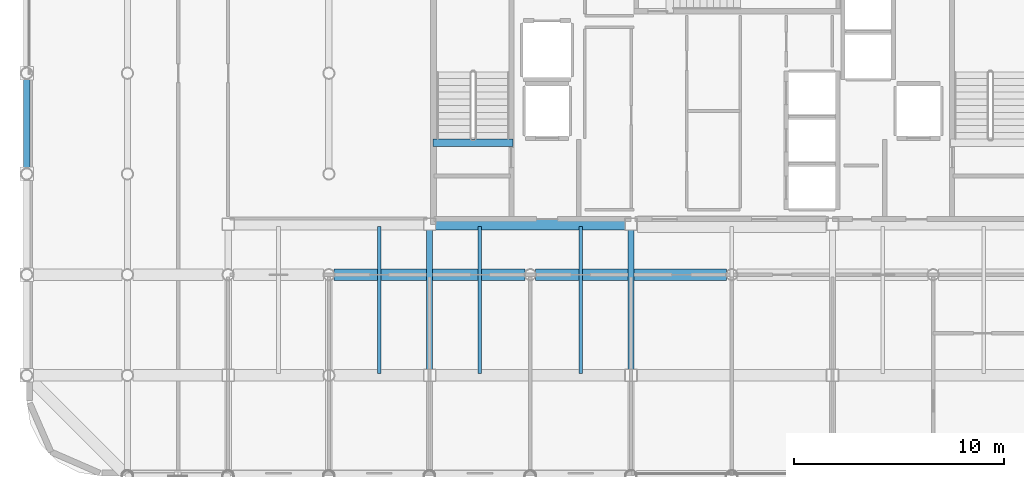
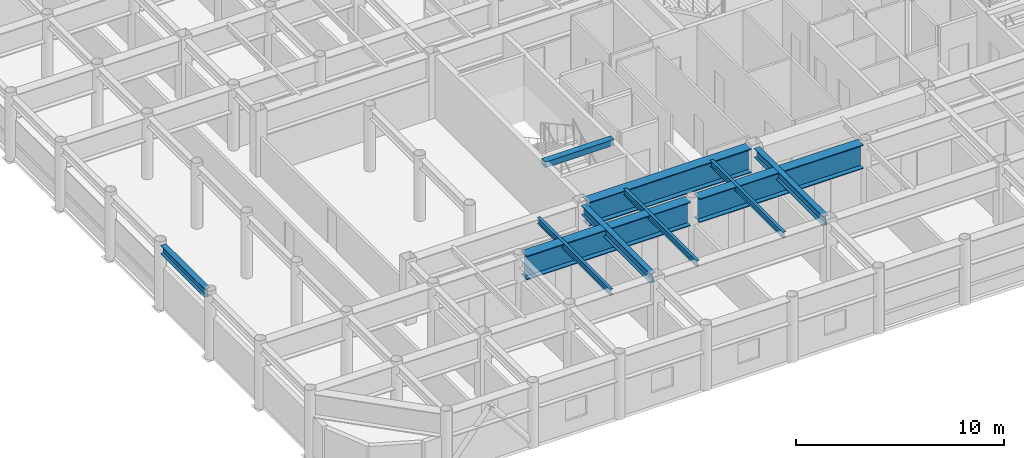
# One storey, part 5 of 25: 10 beams.
"""IFC4 building model written with IfcOpenShell, lengths in metres."""

from ifc_helpers import new_model, si_unit, direction, frame, origin, origin_2d, place, context, subcontext, project, spatial, rectangle, i_section, extrude, material, material_profile, profile_set, type_object, element, save


model = new_model("IFC4")

# Units and contexts
model_context = context("Model", 3, precision=1e-05, world=origin(), true_north=direction((0.0, 1.0)))
body_context = subcontext(model_context, "Body", "Model", "MODEL_VIEW")
ifc_project = project(units=[si_unit("LENGTHUNIT", "METRE"), si_unit("AREAUNIT", "SQUARE_METRE"), si_unit("VOLUMEUNIT", "CUBIC_METRE"), si_unit("PLANEANGLEUNIT", "RADIAN"), si_unit("MASSUNIT", "GRAM", prefix="KILO")], contexts=[model_context])

# Site, building, storey
site_placement = place(None, origin())
site = spatial("IfcSite", under=ifc_project, at=site_placement, CompositionType="ELEMENT")
building_placement = place(site_placement, origin())
building = spatial("IfcBuilding", under=site, at=building_placement, Name="Kallvorn Hotel Tower", CompositionType="ELEMENT")
storey_placement = place(building_placement, frame((0.0, 0.0, 249.25)))
storey = spatial("IfcBuildingStorey", under=building, at=storey_placement, Name="L62", CompositionType="ELEMENT", Elevation=249.25)

# Beams
ifc_material_1 = material(Name="Structural steel S355JR", Category="steel")
ifc_material_profile_1 = material_profile(ifc_material_1, i_section(OverallWidth=0.300048828125, OverallDepth=0.5, WebThickness=0.014404296875, FlangeThickness=0.028076171875, at=origin_2d()), Name="HE 500 B")
ifc_profile_set_1 = profile_set([ifc_material_profile_1], Name="Structural steel S355JR")
beam_type_1 = type_object("IfcBeamType", Name="BM_HE500B", PredefinedType="SPANDREL", material=ifc_profile_set_1)
beam_1_placement = place(storey_placement, frame((-33.60009765625, -4.530517578125, 3.419921875), z_axis=(0.0, 1.0, 0.0), x_axis=(-1.0, 0.0, 0.0)))
element("IfcBeam", 1, at=beam_1_placement, inside=storey, type_object=beam_type_1, Name="L63 Perimeter Spandrel 176", PredefinedType="SPANDREL", context=body_context, shape_type="SweptSolid", body=[
    extrude(i_section(OverallWidth=0.300048828125, OverallDepth=0.5, WebThickness=0.014404296875, FlangeThickness=0.028076171875, at=origin_2d()), origin(), (0.0, 0.0, 1.0), 4.260986328125),
])
ifc_material_2 = material(Name="Structural steel S355JR", Category="steel")
ifc_material_profile_2 = material_profile(ifc_material_2, i_section(OverallWidth=0.300048828125, OverallDepth=0.550048828125, WebThickness=0.014892578125, FlangeThickness=0.029052734375, at=origin_2d()), Name="HE 550 B")
ifc_profile_set_2 = profile_set([ifc_material_profile_2], Name="Structural steel S355JR")
beam_type_2 = type_object("IfcBeamType", Name="BM_HE550B", PredefinedType="SPANDREL", material=ifc_profile_set_2)
for number, where, z_axis, x_axis, name in (
    (2, (-14.39990234375, -14.125, 3.39501953125), (0.0, 1.0, 0.0), (-1.0, 0.0, 0.0), "L63 Primary Y-Girder 99"),
    (3, (-4.800048828125, -14.125, 3.39501953125), (0.0, 1.0, 0.0), (-1.0, 0.0, 0.0), "L63 Primary Y-Girder 107"),
):
    element("IfcBeam", number, at=place(storey_placement, frame(where, z_axis=z_axis, x_axis=x_axis)), inside=storey, type_object=beam_type_2, Name=name, PredefinedType="SPANDREL", context=body_context, shape_type="SweptSolid", body=[
        extrude(i_section(OverallWidth=0.300048828125, OverallDepth=0.550048828125, WebThickness=0.014892578125, FlangeThickness=0.029052734375, at=origin_2d()), origin(), (0.0, 0.0, 1.0), 6.64990234375),
    ])
ifc_material_3 = material(Name="Structural steel S355JR", Category="steel")
ifc_material_profile_3 = material_profile(ifc_material_3, i_section(OverallWidth=0.169921875, OverallDepth=0.360107421875, WebThickness=0.008056640625, FlangeThickness=0.0126953125, at=origin_2d()), Name="IPE 360")
ifc_profile_set_3 = profile_set([ifc_material_profile_3], Name="Structural steel S355JR")
beam_type_3 = type_object("IfcBeamType", Name="BM_IPE360", PredefinedType="JOIST", material=ifc_profile_set_3)
for number, where, z_axis, x_axis, name in (
    (4, (-16.800048828125, -14.300048828125, 3.489990234375), (0.0, 1.0, 0.0), (-1.0, 0.0, 0.0), "L63 Secondary Composite Joist 194"),
    (5, (-12.0, -14.300048828125, 3.489990234375), (0.0, 1.0, 0.0), (-1.0, 0.0, 0.0), "L63 Secondary Composite Joist 196"),
    (6, (-7.199951171875, -14.300048828125, 3.489990234375), (0.0, 1.0, 0.0), (-1.0, 0.0, 0.0), "L63 Secondary Composite Joist 198"),
):
    element("IfcBeam", number, at=place(storey_placement, frame(where, z_axis=z_axis, x_axis=x_axis)), inside=storey, type_object=beam_type_3, Name=name, PredefinedType="JOIST", context=body_context, shape_type="SweptSolid", body=[
        extrude(i_section(OverallWidth=0.169921875, OverallDepth=0.360107421875, WebThickness=0.008056640625, FlangeThickness=0.0126953125, at=origin_2d()), origin(), (0.0, 0.0, 1.0), 7.0),
    ])
ifc_material_4 = material(Name="Structural steel S355JR", Category="steel")
ifc_material_profile_4 = material_profile(ifc_material_4, i_section(OverallWidth=0.550048828125, OverallDepth=1.39990234375, WebThickness=0.02490234375, FlangeThickness=0.044921875, at=origin_2d()), Name="PG 1400x550x25x45")
ifc_profile_set_4 = profile_set([ifc_material_profile_4], Name="Structural steel S355JR")
beam_type_4 = type_object("IfcBeamType", Name="BM_PG_1400", PredefinedType="BEAM", material=ifc_profile_set_4)
for number, where, z_axis, x_axis, name in (
    (7, (-18.945556640625, -9.60009765625, 2.969970703125), (1.0, 0.0, 0.0), (0.0, 1.0, 0.0), "L63 Primary X-Girder 26"),
    (8, (-9.345458984375, -9.60009765625, 2.969970703125), (1.0, 0.0, 0.0), (0.0, 1.0, 0.0), "L63 Primary X-Girder 27"),
):
    element("IfcBeam", number, at=place(storey_placement, frame(where, z_axis=z_axis, x_axis=x_axis)), inside=storey, type_object=beam_type_4, Name=name, PredefinedType="BEAM", context=body_context, shape_type="SweptSolid", body=[
        extrude(i_section(OverallWidth=0.550048828125, OverallDepth=1.39990234375, WebThickness=0.02490234375, FlangeThickness=0.044921875, at=origin_2d()), origin(), (0.0, 0.0, 1.0), 9.091064453125),
    ])
beam_2_placement = place(storey_placement, frame((-14.125, -7.199951171875, 2.969970703125), z_axis=(1.0, 0.0, 0.0), x_axis=(0.0, 1.0, 0.0)))
element("IfcBeam", 9, at=beam_2_placement, inside=storey, type_object=beam_type_4, Name="L63 Primary X-Girder 33", PredefinedType="BEAM", context=body_context, shape_type="SweptSolid", body=[
    extrude(i_section(OverallWidth=0.550048828125, OverallDepth=1.39990234375, WebThickness=0.02490234375, FlangeThickness=0.044921875, at=origin_2d()), origin(), (0.0, 0.0, 1.0), 9.050048828125),
])
ifc_material_5 = material(Name="Concrete C50/60", Category="concrete")
ifc_material_profile_5 = material_profile(ifc_material_5, rectangle(XDim=0.360107421875, YDim=0.340087890625, at=origin_2d()), Name="RC 360x340")
ifc_profile_set_5 = profile_set([ifc_material_profile_5], Name="Concrete C50/60")
beam_type_5 = type_object("IfcBeamType", Name="BM_RC_400x360", PredefinedType="BEAM", material=ifc_profile_set_5)
beam_3_placement = place(storey_placement, frame((-10.419921875, -3.31005859375, 3.5), z_axis=(-1.0, 0.0, 0.0), x_axis=(0.0, -1.0, 0.0)))
element("IfcBeam", 10, at=beam_3_placement, inside=storey, type_object=beam_type_5, Name="L63 Stair ST1 Arrival Trimmer Beam", PredefinedType="BEAM", context=body_context, shape_type="SweptSolid", body=[
    extrude(rectangle(XDim=0.360107421875, YDim=0.340087890625, at=origin_2d()), origin(), (0.0, 0.0, 1.0), 3.820068359375),
])

save(model, "model.ifc")
